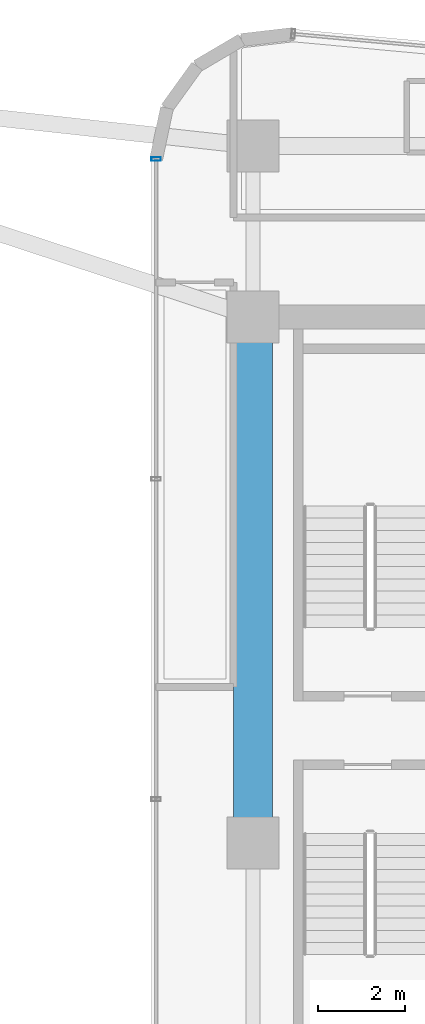
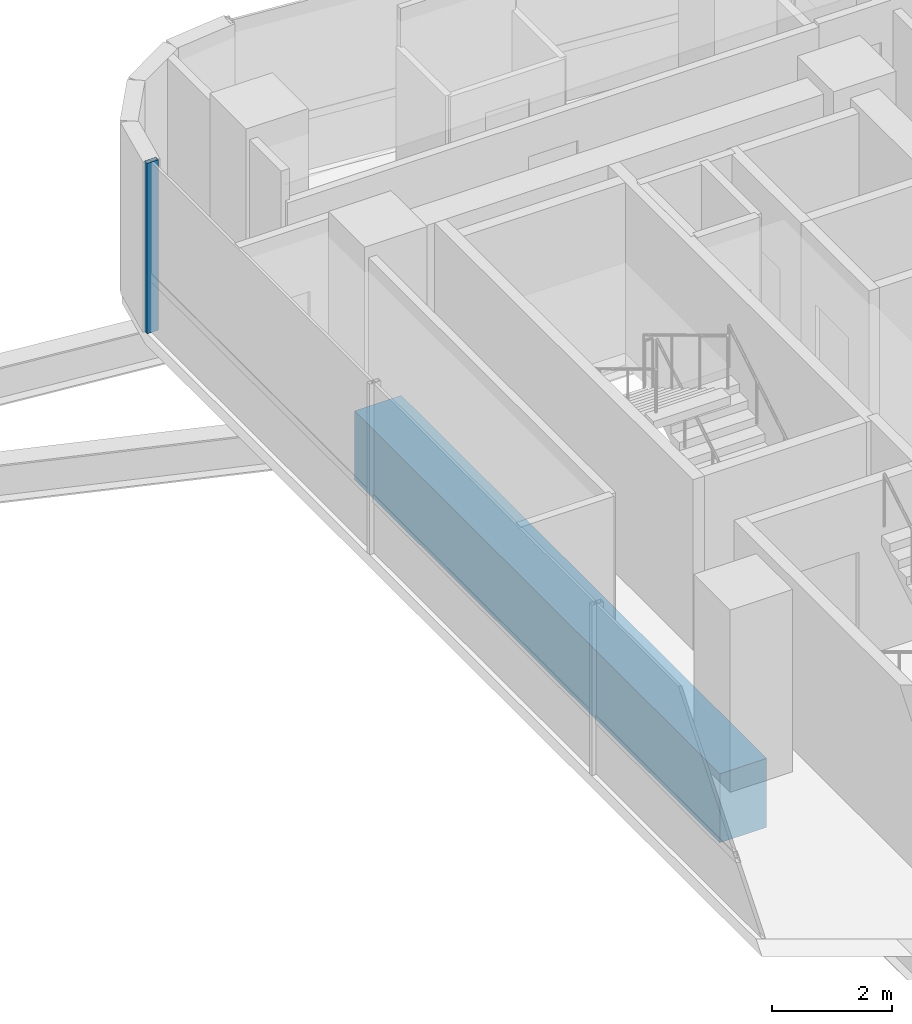
# One storey, part 17 of 36: 1 beam, 1 member, 1 element without a shape of its own.
"""IFC4 building model written with IfcOpenShell, lengths in metres."""

import ifcopenshell
import ifcopenshell.guid

model = None  # the IFC model being written
_history = None  # IfcOwnerHistory: only IFC2X3 demands one
_inside = {}  # id of a spatial element -> (the spatial element, [elements in it])
_under = {}  # id of a project, library or spatial element -> (it, [spatial elements below it])
_declared = {}  # id of a project -> (the project, [libraries it declares])
_typed = {}  # id of a type object -> (the type object, [elements of that type])
_made_of = {}  # id of a material, layer set ... -> (it, [elements and type objects made of it])


def new_model(schema):
    """Start an empty IFC model of exactly this schema.

    Asked for "IFC4X3", IfcOpenShell would pick the latest addendum, in which some entities
    have other attributes; the version numbers below select the first issue.
    IFC2X3 requires an IfcOwnerHistory on every rooted entity: one is made here for all.
    """
    global model, _history
    if schema == "IFC4X3":
        model = ifcopenshell.file(schema_version=(4, 3, 0, 0))
    else:
        model = ifcopenshell.file(schema=schema)
    _inside.clear()
    _under.clear()
    _declared.clear()
    _typed.clear()
    _made_of.clear()
    _history = None
    if model.schema == "IFC2X3":
        org = make("IfcOrganization", Name="unknown")
        user = make(
            "IfcPersonAndOrganization",
            ThePerson=make("IfcPerson", FamilyName="unknown"),
            TheOrganization=org,
        )
        app = make(
            "IfcApplication",
            ApplicationDeveloper=org,
            Version="unknown",
            ApplicationFullName="unknown",
            ApplicationIdentifier="unknown",
        )
        _history = make(
            "IfcOwnerHistory",
            OwningUser=user,
            OwningApplication=app,
            ChangeAction="ADDED",
            CreationDate=0,
        )
    return model


def make(cls, **values):
    """One entity of the class cls with the attributes given. An attribute that is None is left unset."""
    return model.create_entity(
        cls, **{name: value for name, value in values.items() if value is not None}
    )


def rooted(cls, **values):
    """An entity with a GlobalId (a new one), such as an element, a storey or a relation."""
    return make(cls, GlobalId=ifcopenshell.guid.new(), OwnerHistory=_history, **values)


def si_unit(unit_type, name, prefix=None):
    """IfcSIUnit, for example si_unit("LENGTHUNIT", "METRE", prefix="MILLI")."""
    return make("IfcSIUnit", UnitType=unit_type, Prefix=prefix, Name=name)


def assignment(units):
    """IfcUnitAssignment: the units of a project."""
    return None if units is None else make("IfcUnitAssignment", Units=units)


def point(xyz):
    """IfcCartesianPoint."""
    return None if xyz is None else make("IfcCartesianPoint", Coordinates=xyz)


def direction(xyz):
    """IfcDirection."""
    return None if xyz is None else make("IfcDirection", DirectionRatios=xyz)


def frame(location, z_axis=None, x_axis=None):
    """IfcAxis2Placement3D, a coordinate frame: its origin and axes. An axis left out is left unset."""
    return make(
        "IfcAxis2Placement3D",
        Location=point(location),
        Axis=direction(z_axis),
        RefDirection=direction(x_axis),
    )


def frame_2d(location, x_axis=None):
    """IfcAxis2Placement2D, a coordinate frame in the plane: its origin and x axis."""
    return make(
        "IfcAxis2Placement2D", Location=point(location), RefDirection=direction(x_axis)
    )


def origin():
    """The frame at (0, 0, 0) with its axes left unset."""
    return frame((0.0, 0.0, 0.0))


def origin_2d():
    """The frame at (0, 0) in the plane with its x axis left unset."""
    return frame_2d((0.0, 0.0))


def place(relative_to, where):
    """IfcLocalPlacement: puts the frame where relative to a parent placement (None: the world)."""
    return make(
        "IfcLocalPlacement", PlacementRelTo=relative_to, RelativePlacement=where
    )


def context(
    kind, dimensions, precision=None, world=None, true_north=None, identifier=None
):
    """IfcGeometricRepresentationContext, for example the 3D "Model" context."""
    return make(
        "IfcGeometricRepresentationContext",
        ContextIdentifier=identifier,
        ContextType=kind,
        CoordinateSpaceDimension=dimensions,
        Precision=precision,
        WorldCoordinateSystem=world,
        TrueNorth=true_north,
    )


def subcontext(parent, identifier, kind, view, scale=None):
    """IfcGeometricRepresentationSubContext, for example "Body" below "Model"."""
    return make(
        "IfcGeometricRepresentationSubContext",
        ContextIdentifier=identifier,
        ContextType=kind,
        ParentContext=parent,
        TargetScale=scale,
        TargetView=view,
    )


def project(units=None, contexts=None):
    """IfcProject with its units and contexts."""
    return rooted(
        "IfcProject",
        Name="project",
        RepresentationContexts=contexts,
        UnitsInContext=assignment(units),
    )


def spatial(cls, under=None, at=None, **own):
    """A site, building, storey or space (cls), placed at a placement, below another one or the project."""
    s = rooted(cls, ObjectPlacement=at, **own)
    if under is not None:
        _under.setdefault(under.id(), (under, []))[1].append(s)
    return s


def profile(cls, at=None, kind="AREA", **sizes):
    """A parametric profile (cls). Its sizes go by their IFC names, for example OverallWidth=200.0."""
    return make(cls, ProfileType=kind, Position=at, **sizes)


def rectangle(**sizes):
    """IfcRectangleProfileDef."""
    return profile("IfcRectangleProfileDef", **sizes)


def hollow_rectangle(**sizes):
    """IfcRectangleHollowProfileDef."""
    return profile("IfcRectangleHollowProfileDef", **sizes)


def extrude(swept, where, along, depth):
    """IfcExtrudedAreaSolid: the profile swept, set in the frame where, extruded along a direction by depth."""
    return make(
        "IfcExtrudedAreaSolid",
        SweptArea=swept,
        Position=where,
        ExtrudedDirection=direction(along),
        Depth=depth,
    )


def shape(context_of_items, identifier, shape_type, items):
    """IfcShapeRepresentation: the items that make up one representation, for example the "Body"."""
    return make(
        "IfcShapeRepresentation",
        ContextOfItems=context_of_items,
        RepresentationIdentifier=identifier,
        RepresentationType=shape_type,
        Items=items,
    )


def source(mapping_origin, context_of_items, identifier, shape_type, items):
    """IfcRepresentationMap: a shape defined once, which mapped items show again and again."""
    return make(
        "IfcRepresentationMap",
        MappingOrigin=mapping_origin,
        MappedRepresentation=shape(context_of_items, identifier, shape_type, items),
    )


def transform(
    local_origin,
    x_axis=None,
    y_axis=None,
    z_axis=None,
    scale=None,
    scale2=None,
    scale3=None,
    uniform=True,
):
    """IfcCartesianTransformationOperator3D, or its non-uniform kind. x_axis, y_axis, z_axis: its Axis1, 2, 3."""
    if uniform:
        return make(
            "IfcCartesianTransformationOperator3D",
            Axis1=direction(x_axis),
            Axis2=direction(y_axis),
            LocalOrigin=point(local_origin),
            Scale=scale,
            Axis3=direction(z_axis),
        )
    return make(
        "IfcCartesianTransformationOperator3DnonUniform",
        Axis1=direction(x_axis),
        Axis2=direction(y_axis),
        LocalOrigin=point(local_origin),
        Scale=scale,
        Axis3=direction(z_axis),
        Scale2=scale2,
        Scale3=scale3,
    )


def mapped(mapping_source, mapping_target):
    """IfcMappedItem: shows the shape of a source again, moved by a transform."""
    return make(
        "IfcMappedItem", MappingSource=mapping_source, MappingTarget=mapping_target
    )


def material(Name=None, Category=None):
    """IfcMaterial."""
    return make("IfcMaterial", Name=Name, Category=Category)


def material_profile(
    of_material, cross_section, Name=None, Category=None, Priority=None
):
    """IfcMaterialProfile: a cross section and its material."""
    return make(
        "IfcMaterialProfile",
        Name=Name,
        Material=of_material,
        Profile=cross_section,
        Priority=Priority,
        Category=Category,
    )


def profile_set(profiles, Name=None, composite=None):
    """IfcMaterialProfileSet."""
    return make(
        "IfcMaterialProfileSet",
        Name=Name,
        MaterialProfiles=profiles,
        CompositeProfile=composite,
    )


def made_of(thing, what):
    """Note that an element or type object is made of a material, layer set ...; save() writes the relation."""
    if what is not None:
        _made_of.setdefault(what.id(), (what, []))[1].append(thing)
    return thing


def type_object(cls, material=None, **own):
    """A type object (cls), such as IfcWallType, which elements share."""
    return made_of(rooted(cls, **own), material)


def element(
    cls,
    number,
    at=None,
    inside=None,
    cuts=None,
    type_object=None,
    material=None,
    context=None,
    identifier="Body",
    shape_type=None,
    held_by="IfcProductDefinitionShape",
    body=None,
    shapes=None,
    **own,
):
    """One element of the class cls, such as IfcWall. Its Tag is "e" and its number.

    at: its placement. inside: the storey or other place that contains it. cuts: it is an
    opening in that element (IfcRelVoidsElement). A single representation is given by context,
    identifier, shape_type and body (its items); several are given by shapes. held_by: the class
    of the entity that holds the representations. save() writes the other relations.
    """
    e = rooted(cls, Tag="e%d" % number, ObjectPlacement=at, **own)
    if body is not None:
        shapes = [shape(context, identifier, shape_type, body)]
    if shapes is not None:
        e.Representation = make(held_by, Representations=shapes)
    if inside is not None:
        _inside.setdefault(inside.id(), (inside, []))[1].append(e)
    if cuts is not None:
        rooted(
            "IfcRelVoidsElement", RelatingBuildingElement=cuts, RelatedOpeningElement=e
        )
    if type_object is not None:
        _typed.setdefault(type_object.id(), (type_object, []))[1].append(e)
    return made_of(e, material)


def aggregate(whole, parts):
    """IfcRelAggregates: a whole, such as a stair, and the parts it consists of."""
    return rooted("IfcRelAggregates", RelatingObject=whole, RelatedObjects=parts)


def save(model, path):
    """Write the relations noted so far, then the file.

    IfcRelAggregates (storeys below a building ...), IfcRelContainedInSpatialStructure (elements
    in a storey), IfcRelDefinesByType, IfcRelAssociatesMaterial and IfcRelDeclares: one each for
    every whole, place, type object, material and project.
    """
    for whole, parts in _under.values():
        aggregate(whole, parts)
    for where, things in _inside.values():
        rooted(
            "IfcRelContainedInSpatialStructure",
            RelatedElements=things,
            RelatingStructure=where,
        )
    for kind, things in _typed.values():
        rooted("IfcRelDefinesByType", RelatedObjects=things, RelatingType=kind)
    for what, things in _made_of.values():
        rooted("IfcRelAssociatesMaterial", RelatedObjects=things, RelatingMaterial=what)
    for by, libraries in _declared.values():
        rooted("IfcRelDeclares", RelatingContext=by, RelatedDefinitions=libraries)
    model.write(path)


model = new_model("IFC4")

# Units and contexts
model_context = context("Model", 3, precision=1e-05, world=origin(), true_north=direction((0.0, 1.0)))
body_context = subcontext(model_context, "Body", "Model", "MODEL_VIEW")
ifc_project = project(units=[si_unit("LENGTHUNIT", "METRE"), si_unit("AREAUNIT", "SQUARE_METRE"), si_unit("VOLUMEUNIT", "CUBIC_METRE"), si_unit("PLANEANGLEUNIT", "RADIAN"), si_unit("MASSUNIT", "GRAM", prefix="KILO")], contexts=[model_context])

# Site, building, storey
site_placement = place(None, origin())
site = spatial("IfcSite", under=ifc_project, at=site_placement, CompositionType="ELEMENT")
building_placement = place(site_placement, origin())
building = spatial("IfcBuilding", under=site, at=building_placement, Name="Valdorenza Pilgrim Sanctuary Tower", CompositionType="ELEMENT")
storey_placement = place(building_placement, frame((0.0, 0.0, 153.800048828125)))
storey = spatial("IfcBuildingStorey", under=building, at=storey_placement, Name="L39", CompositionType="ELEMENT", Elevation=153.800048828125)

# Beam
ifc_material_1 = material(Name="Concrete C60/75", Category="concrete")
ifc_material_profile_1 = material_profile(ifc_material_1, rectangle(XDim=0.89990234375, YDim=1.39990234375, at=origin_2d()), Name="RC 1400x900")
ifc_profile_set_1 = profile_set([ifc_material_profile_1], Name="Concrete C60/75")
beam_type = type_object("IfcBeamType", Name="STR-BM-LNT-1400", PredefinedType="LINTEL", material=ifc_profile_set_1)
shared_shape_1 = source(origin(), body_context, "Body", "SweptSolid", [
    extrude(rectangle(XDim=0.89990234375, YDim=1.39990234375, at=origin_2d()), origin(), (0.0, 0.0, 1.0), 12.150146484375),
])
beam_placement = place(storey_placement, frame((15.85009765625, -2.60009765625, -0.739990234375), z_axis=(0.0, 1.0, 0.0), x_axis=(-1.0, 0.0, 0.0)))
element("IfcBeam", 1, at=beam_placement, inside=storey, type_object=beam_type, Name="L39 Core B West Coupling Lintel Girder", PredefinedType="LINTEL", context=body_context, shape_type="MappedRepresentation", body=[
    mapped(shared_shape_1, transform((0.0, 0.0, 0.0), x_axis=(1.0, 0.0, 0.0), y_axis=(0.0, 1.0, 0.0), z_axis=(0.0, 0.0, 1.0), scale=1.0)),
])

# Curtain wall, member
ifc_material_2 = material(Name="Curtain-wall IGU glazing", Category="glass")
curtain_wall_type = type_object("IfcCurtainWallType", Name="CW-SYS-03", PredefinedType="NOTDEFINED", material=ifc_material_2)
curtain_wall_placement = place(storey_placement, origin())
curtain_wall = element("IfcCurtainWall", 2, at=curtain_wall_placement, inside=storey, type_object=curtain_wall_type, Name="L39 Curtain Wall CW-L39-2-1", PredefinedType="NOTDEFINED")
ifc_material_3 = material(Name="Anodised aluminium AW-6060", Category="aluminium")
ifc_material_profile_2 = material_profile(ifc_material_3, hollow_rectangle(XDim=0.0849609375, YDim=0.219970703125, WallThickness=0.0048828125, at=origin_2d()), Name="ALU-M 220x85x5")
ifc_profile_set_2 = profile_set([ifc_material_profile_2], Name="Anodised aluminium AW-6060")
member_type = type_object("IfcMemberType", Name="CW-MUL-03", PredefinedType="MULLION", material=ifc_profile_set_2)
shared_shape_2 = source(origin(), body_context, "Body", "SweptSolid", [
    extrude(hollow_rectangle(XDim=0.0849609375, YDim=0.219970703125, WallThickness=0.0048828125, at=origin_2d()), origin(), (0.0, 0.0, 1.0), 3.4599609375),
])
member_placement = place(storey_placement, frame((13.610107421875, 13.19970703125, 0.0), z_axis=(0.0, 0.0, 1.0), x_axis=(0.0, 1.0, 0.0)))
member = element("IfcMember", 3, at=member_placement, type_object=member_type, Name="CW-L39-2-1 Mullion 4", PredefinedType="MULLION", context=body_context, shape_type="MappedRepresentation", body=[
    mapped(shared_shape_2, transform((0.0, 0.0, 0.0), x_axis=(1.0, 0.0, 0.0), y_axis=(0.0, 1.0, 0.0), z_axis=(0.0, 0.0, 1.0), scale=1.0)),
])
aggregate(curtain_wall, [member])

save(model, "model.ifc")
